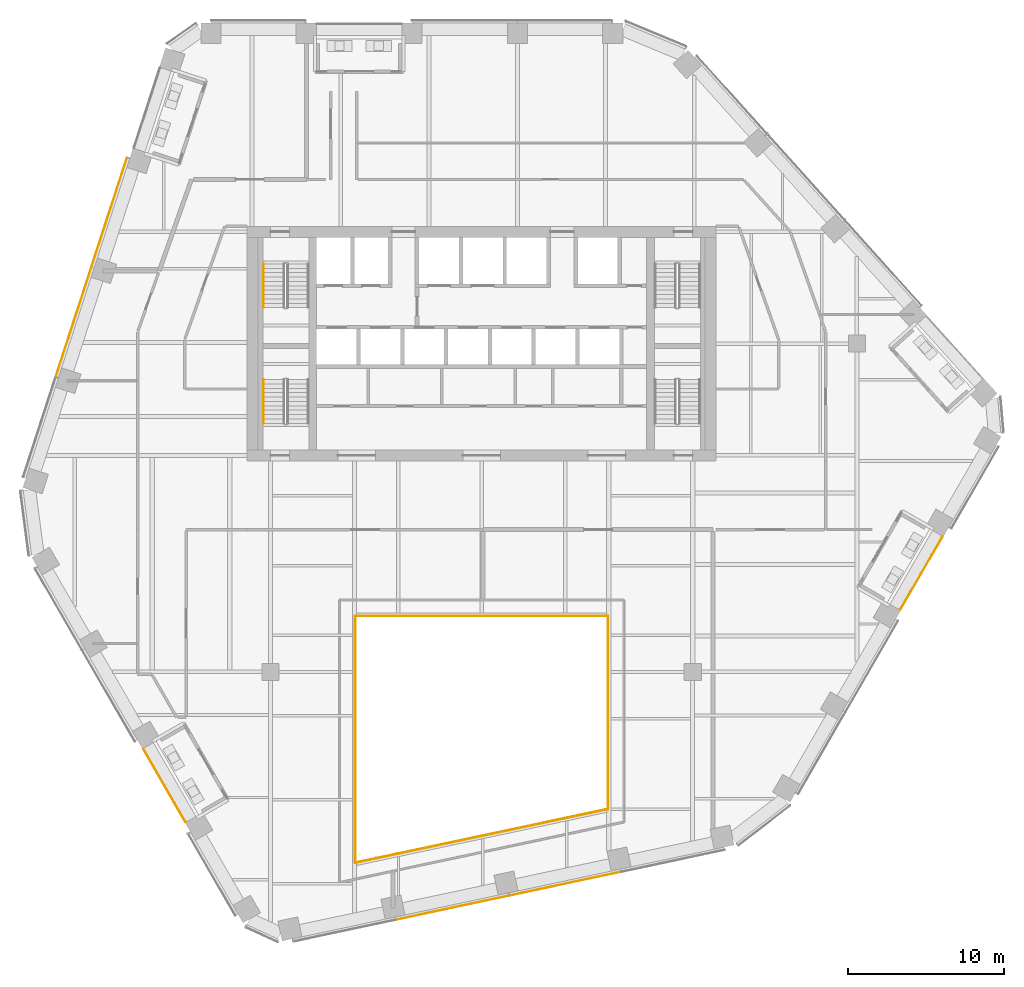
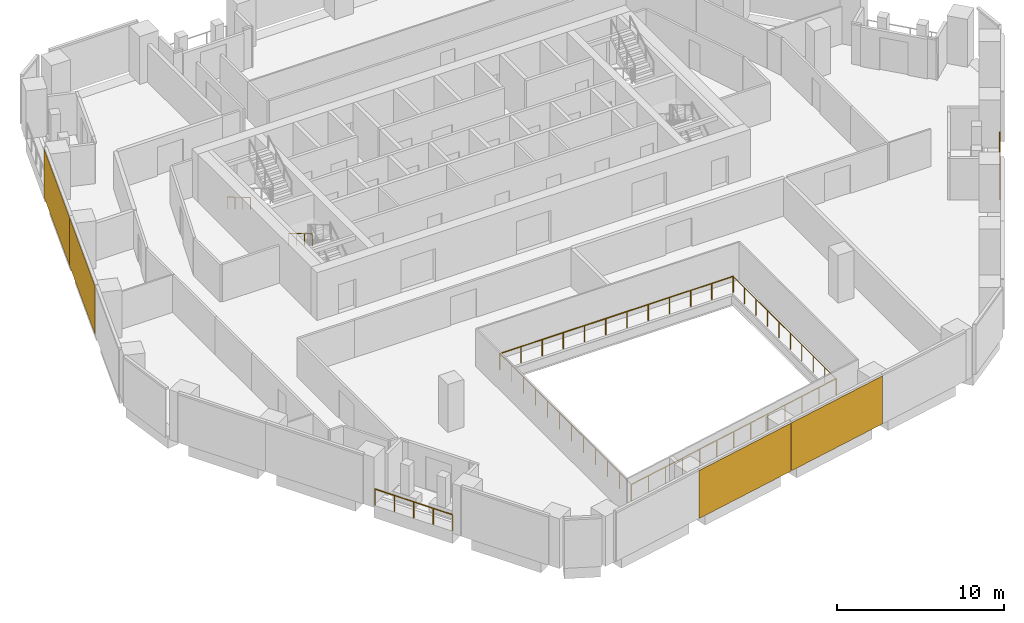
# One storey, part 23 of 26: 8 railings, 4 coverings, 2 elements without a shape of their own.
"""IFC4 building model written with IfcOpenShell, lengths in metres."""

from ifc_helpers import new_model, si_unit, direction, frame, origin, origin_2d, place, context, subcontext, project, spatial, rectangle, circle, extrude, material, layer, layer_set, type_object, element, aggregate, save


model = new_model("IFC4")

# Units and contexts
model_context = context("Model", 3, precision=1e-05, world=origin(), true_north=direction((0.0, 1.0)))
body_context = subcontext(model_context, "Body", "Model", "MODEL_VIEW")
ifc_project = project(units=[si_unit("LENGTHUNIT", "METRE"), si_unit("AREAUNIT", "SQUARE_METRE"), si_unit("VOLUMEUNIT", "CUBIC_METRE"), si_unit("PLANEANGLEUNIT", "RADIAN"), si_unit("MASSUNIT", "GRAM", prefix="KILO")], contexts=[model_context])

# Site, building, storey
site_placement = place(None, origin())
site = spatial("IfcSite", under=ifc_project, at=site_placement, CompositionType="ELEMENT")
building_placement = place(site_placement, origin())
building = spatial("IfcBuilding", under=site, at=building_placement, Name="Isthmus Gate Tower", CompositionType="ELEMENT")
storey_placement = place(building_placement, frame((0.0, 0.0, 189.050048828125)))
storey = spatial("IfcBuildingStorey", under=building, at=storey_placement, Name="L47", CompositionType="ELEMENT", Elevation=189.050048828125)

# Railings
ifc_material_1 = material(Name="Laminated toughened glass balustrade with steel rail", Category="steel")
railing_type_1 = type_object("IfcRailingType", Name="ATRIUM GUARD GLASS BALUSTRADE 1200", PredefinedType="GUARDRAIL", material=ifc_material_1)
railing_1_placement = place(storey_placement, frame((-8.080078125, -25.7099609375, 0.0)))
element("IfcRailing", 1, at=railing_1_placement, inside=storey, type_object=railing_type_1, Name="L47 atrium guard", PredefinedType="GUARDRAIL", context=body_context, shape_type="SweptSolid", body=[
    extrude(circle(Radius=0.02490234375, at=origin_2d()), frame((0.0, 0.0, 1.1748046875), z_axis=(0.0, 1.0, 0.0), x_axis=(-1.0, 0.0, 0.0)), (0.0, 0.0, 1.0), 15.7900390625),
    extrude(circle(Radius=0.02490234375, at=origin_2d()), origin(), (0.0, 0.0, 1.0), 1.14990234375),
    extrude(circle(Radius=0.02490234375, at=origin_2d()), frame((0.0, 1.435546875, 0.0)), (0.0, 0.0, 1.0), 1.14990234375),
    extrude(circle(Radius=0.02490234375, at=origin_2d()), frame((0.0, 2.870849609375, 0.0)), (0.0, 0.0, 1.0), 1.14990234375),
    extrude(circle(Radius=0.02490234375, at=origin_2d()), frame((0.0, 4.306396484375, 0.0)), (0.0, 0.0, 1.0), 1.14990234375),
    extrude(circle(Radius=0.02490234375, at=origin_2d()), frame((0.0, 5.741943359375, 0.0)), (0.0, 0.0, 1.0), 1.14990234375),
    extrude(circle(Radius=0.02490234375, at=origin_2d()), frame((0.0, 7.17724609375, 0.0)), (0.0, 0.0, 1.0), 1.14990234375),
    extrude(circle(Radius=0.02490234375, at=origin_2d()), frame((0.0, 8.61279296875, 0.0)), (0.0, 0.0, 1.0), 1.14990234375),
    extrude(circle(Radius=0.02490234375, at=origin_2d()), frame((0.0, 10.048095703125, 0.0)), (0.0, 0.0, 1.0), 1.14990234375),
    extrude(circle(Radius=0.02490234375, at=origin_2d()), frame((0.0, 11.483642578125, 0.0)), (0.0, 0.0, 1.0), 1.14990234375),
    extrude(circle(Radius=0.02490234375, at=origin_2d()), frame((0.0, 12.919189453125, 0.0)), (0.0, 0.0, 1.0), 1.14990234375),
    extrude(circle(Radius=0.02490234375, at=origin_2d()), frame((0.0, 14.3544921875, 0.0)), (0.0, 0.0, 1.0), 1.14990234375),
    extrude(circle(Radius=0.02490234375, at=origin_2d()), frame((0.0, 15.7900390625, 0.0)), (0.0, 0.0, 1.0), 1.14990234375),
])
railing_2_placement = place(storey_placement, frame((-8.080078125, -9.919921875, 0.0)))
element("IfcRailing", 2, at=railing_2_placement, inside=storey, type_object=railing_type_1, Name="L47 atrium guard", PredefinedType="GUARDRAIL", context=body_context, shape_type="SweptSolid", body=[
    extrude(circle(Radius=0.02490234375, at=origin_2d()), frame((0.0, 0.0, 1.1748046875), z_axis=(1.0, 0.0, 0.0), x_axis=(0.0, 1.0, 0.0)), (0.0, 0.0, 1.0), 16.16015625),
    extrude(circle(Radius=0.02490234375, at=origin_2d()), origin(), (0.0, 0.0, 1.0), 1.14990234375),
    extrude(circle(Radius=0.02490234375, at=origin_2d()), frame((1.468994140625, 0.0, 0.0)), (0.0, 0.0, 1.0), 1.14990234375),
    extrude(circle(Radius=0.02490234375, at=origin_2d()), frame((2.938232421875, 0.0, 0.0)), (0.0, 0.0, 1.0), 1.14990234375),
    extrude(circle(Radius=0.02490234375, at=origin_2d()), frame((4.4072265625, 0.0, 0.0)), (0.0, 0.0, 1.0), 1.14990234375),
    extrude(circle(Radius=0.02490234375, at=origin_2d()), frame((5.87646484375, 0.0, 0.0)), (0.0, 0.0, 1.0), 1.14990234375),
    extrude(circle(Radius=0.02490234375, at=origin_2d()), frame((7.345458984375, 0.0, 0.0)), (0.0, 0.0, 1.0), 1.14990234375),
    extrude(circle(Radius=0.02490234375, at=origin_2d()), frame((8.814697265625, 0.0, 0.0)), (0.0, 0.0, 1.0), 1.14990234375),
    extrude(circle(Radius=0.02490234375, at=origin_2d()), frame((10.28369140625, 0.0, 0.0)), (0.0, 0.0, 1.0), 1.14990234375),
    extrude(circle(Radius=0.02490234375, at=origin_2d()), frame((11.7529296875, 0.0, 0.0)), (0.0, 0.0, 1.0), 1.14990234375),
    extrude(circle(Radius=0.02490234375, at=origin_2d()), frame((13.221923828125, 0.0, 0.0)), (0.0, 0.0, 1.0), 1.14990234375),
    extrude(circle(Radius=0.02490234375, at=origin_2d()), frame((14.691162109375, 0.0, 0.0)), (0.0, 0.0, 1.0), 1.14990234375),
    extrude(circle(Radius=0.02490234375, at=origin_2d()), frame((16.16015625, 0.0, 0.0)), (0.0, 0.0, 1.0), 1.14990234375),
])
railing_3_placement = place(storey_placement, frame((8.080078125, -9.919921875, 0.0)))
element("IfcRailing", 3, at=railing_3_placement, inside=storey, type_object=railing_type_1, Name="L47 atrium guard", PredefinedType="GUARDRAIL", context=body_context, shape_type="SweptSolid", body=[
    extrude(circle(Radius=0.02490234375, at=origin_2d()), frame((0.0, 0.0, 1.1748046875), z_axis=(0.0, -1.0, 0.0), x_axis=(1.0, 0.0, 0.0)), (0.0, 0.0, 1.0), 12.35498046875),
    extrude(circle(Radius=0.02490234375, at=origin_2d()), origin(), (0.0, 0.0, 1.0), 1.14990234375),
    extrude(circle(Radius=0.02490234375, at=origin_2d()), frame((0.0, -1.372802734375, 0.0)), (0.0, 0.0, 1.0), 1.14990234375),
    extrude(circle(Radius=0.02490234375, at=origin_2d()), frame((0.0, -2.74560546875, 0.0)), (0.0, 0.0, 1.0), 1.14990234375),
    extrude(circle(Radius=0.02490234375, at=origin_2d()), frame((0.0, -4.118408203125, 0.0)), (0.0, 0.0, 1.0), 1.14990234375),
    extrude(circle(Radius=0.02490234375, at=origin_2d()), frame((0.0, -5.4912109375, 0.0)), (0.0, 0.0, 1.0), 1.14990234375),
    extrude(circle(Radius=0.02490234375, at=origin_2d()), frame((0.0, -6.86376953125, 0.0)), (0.0, 0.0, 1.0), 1.14990234375),
    extrude(circle(Radius=0.02490234375, at=origin_2d()), frame((0.0, -8.236572265625, 0.0)), (0.0, 0.0, 1.0), 1.14990234375),
    extrude(circle(Radius=0.02490234375, at=origin_2d()), frame((0.0, -9.609375, 0.0)), (0.0, 0.0, 1.0), 1.14990234375),
    extrude(circle(Radius=0.02490234375, at=origin_2d()), frame((0.0, -10.982177734375, 0.0)), (0.0, 0.0, 1.0), 1.14990234375),
    extrude(circle(Radius=0.02490234375, at=origin_2d()), frame((0.0, -12.35498046875, 0.0)), (0.0, 0.0, 1.0), 1.14990234375),
])
railing_4_placement = place(storey_placement, frame((8.080078125, -22.27490234375, 0.0)))
element("IfcRailing", 4, at=railing_4_placement, inside=storey, type_object=railing_type_1, Name="L47 atrium guard", PredefinedType="GUARDRAIL", context=body_context, shape_type="SweptSolid", body=[
    extrude(circle(Radius=0.02490234375, at=origin_2d()), frame((0.0, 0.0, 1.1748046875), z_axis=(-0.978146230105, -0.207918139013, 0.0), x_axis=(0.207918139013, -0.978146230105, 0.0)), (0.0, 0.0, 1.0), 16.521240234375),
    extrude(circle(Radius=0.02490234375, at=origin_2d()), origin(), (0.0, 0.0, 1.0), 1.14990234375),
    extrude(circle(Radius=0.02490234375, at=origin_2d()), frame((-1.3466796875, -0.2861328125, 0.0)), (0.0, 0.0, 1.0), 1.14990234375),
    extrude(circle(Radius=0.02490234375, at=origin_2d()), frame((-2.693359375, -0.572509765625, 0.0)), (0.0, 0.0, 1.0), 1.14990234375),
    extrude(circle(Radius=0.02490234375, at=origin_2d()), frame((-4.0400390625, -0.85888671875, 0.0)), (0.0, 0.0, 1.0), 1.14990234375),
    extrude(circle(Radius=0.02490234375, at=origin_2d()), frame((-5.38671875, -1.14501953125, 0.0)), (0.0, 0.0, 1.0), 1.14990234375),
    extrude(circle(Radius=0.02490234375, at=origin_2d()), frame((-6.7333984375, -1.43115234375, 0.0)), (0.0, 0.0, 1.0), 1.14990234375),
    extrude(circle(Radius=0.02490234375, at=origin_2d()), frame((-8.080078125, -1.717529296875, 0.0)), (0.0, 0.0, 1.0), 1.14990234375),
    extrude(circle(Radius=0.02490234375, at=origin_2d()), frame((-9.4267578125, -2.00390625, 0.0)), (0.0, 0.0, 1.0), 1.14990234375),
    extrude(circle(Radius=0.02490234375, at=origin_2d()), frame((-10.7734375, -2.2900390625, 0.0)), (0.0, 0.0, 1.0), 1.14990234375),
    extrude(circle(Radius=0.02490234375, at=origin_2d()), frame((-12.1201171875, -2.576171875, 0.0)), (0.0, 0.0, 1.0), 1.14990234375),
    extrude(circle(Radius=0.02490234375, at=origin_2d()), frame((-13.466796875, -2.862548828125, 0.0)), (0.0, 0.0, 1.0), 1.14990234375),
    extrude(circle(Radius=0.02490234375, at=origin_2d()), frame((-14.8134765625, -3.14892578125, 0.0)), (0.0, 0.0, 1.0), 1.14990234375),
    extrude(circle(Radius=0.02490234375, at=origin_2d()), frame((-16.16015625, -3.43505859375, 0.0)), (0.0, 0.0, 1.0), 1.14990234375),
])

# Curtain wall, coverings
ifc_material_2 = material(Name="Aluminium, pale champagne anodised", Category="aluminium")
ifc_layer_1 = layer(ifc_material_2, 0.199951171875)
ifc_layer_set_1 = layer_set([ifc_layer_1], Name="CW-1 UNITISED CURTAIN WALL 200 DEEP")
curtain_wall_type = type_object("IfcCurtainWallType", Name="CW-1 UNITISED CURTAIN WALL 200 DEEP", PredefinedType="NOTDEFINED", material=ifc_layer_set_1)
curtain_wall_1_placement = place(storey_placement, origin())
curtain_wall_1 = element("IfcCurtainWall", 5, at=curtain_wall_1_placement, inside=storey, type_object=curtain_wall_type, Name="CW-1 NW L47", PredefinedType="NOTDEFINED")
ifc_material_3 = material(Name="Aluminium composite panel, pale champagne anodised", Category="aluminium")
ifc_layer_2 = layer(ifc_material_3, 0.035888671875)
ifc_layer_set_2 = layer_set([ifc_layer_2], Name="CW-1 PALE METAL PANEL 36")
covering_type = type_object("IfcCoveringType", Name="CW-1 PALE METAL PANEL 36", PredefinedType="CLADDING", material=ifc_layer_set_2)
covering_1_placement = place(storey_placement, frame((-23.822998046875, 15.899169921875, 0.0), z_axis=(0.0, 0.0, 1.0), x_axis=(-0.309016994375, -0.951056516295, 0.0)))
covering_1 = element("IfcCovering", 6, at=covering_1_placement, type_object=covering_type, Name="CW-1 pale metal panel", PredefinedType="CLADDING", context=body_context, shape_type="SweptSolid", body=[
    extrude(rectangle(XDim=7.330810546875, YDim=0.035888671875, at=origin_2d()), origin(), (0.0, 0.0, 1.0), 3.510009765625),
])
covering_2_placement = place(storey_placement, frame((-26.09765625, 8.8984375, 0.0), z_axis=(0.0, 0.0, 1.0), x_axis=(-0.309016994375, -0.951056516295, 0.0)))
covering_2 = element("IfcCovering", 7, at=covering_2_placement, type_object=covering_type, Name="CW-1 pale metal panel", PredefinedType="CLADDING", context=body_context, shape_type="SweptSolid", body=[
    extrude(rectangle(XDim=7.390869140625, YDim=0.035888671875, at=origin_2d()), origin(), (0.0, 0.0, 1.0), 3.510009765625),
])
aggregate(curtain_wall_1, [covering_1, covering_2])

curtain_wall_2_placement = place(storey_placement, origin())
curtain_wall_2 = element("IfcCurtainWall", 8, at=curtain_wall_2_placement, inside=storey, type_object=curtain_wall_type, Name="CW-1 S L47", PredefinedType="NOTDEFINED")
covering_3_placement = place(storey_placement, frame((-1.88671875, -28.587158203125, 0.0), z_axis=(0.0, 0.0, 1.0), x_axis=(0.978147600734, 0.207911690818, 0.0)))
covering_3 = element("IfcCovering", 9, at=covering_3_placement, type_object=covering_type, Name="CW-1 pale metal panel", PredefinedType="CLADDING", context=body_context, shape_type="SweptSolid", body=[
    extrude(rectangle(XDim=7.390869140625, YDim=0.035888671875, at=origin_2d()), origin(), (0.0, 0.0, 1.0), 3.510009765625),
])
covering_4_placement = place(storey_placement, frame((5.371826171875, -27.044189453125, 0.0), z_axis=(0.0, 0.0, 1.0), x_axis=(0.978147600734, 0.207911690818, 0.0)))
covering_4 = element("IfcCovering", 10, at=covering_4_placement, type_object=covering_type, Name="CW-1 pale metal panel", PredefinedType="CLADDING", context=body_context, shape_type="SweptSolid", body=[
    extrude(rectangle(XDim=7.330810546875, YDim=0.035888671875, at=origin_2d()), origin(), (0.0, 0.0, 1.0), 3.510009765625),
])
aggregate(curtain_wall_2, [covering_3, covering_4])

# Railings
ifc_material_4 = material(Name="Toughened laminated glass with stainless steel posts", Category="steel")
railing_type_2 = type_object("IfcRailingType", Name="GUARD 1200 FRAMELESS GLASS", PredefinedType="GUARDRAIL", material=ifc_material_4)
railing_5_placement = place(storey_placement, frame((-21.629638671875, -18.4365234375, 0.0)))
element("IfcRailing", 11, at=railing_5_placement, inside=storey, type_object=railing_type_2, Name="LOGGIA GUARD", PredefinedType="GUARDRAIL", context=body_context, shape_type="SweptSolid", body=[
    extrude(circle(Radius=0.02490234375, at=origin_2d()), frame((0.0, 0.0, 1.1748046875), z_axis=(0.500001865875, -0.866024326518, 0.0), x_axis=(0.866024326518, 0.500001865875, 0.0)), (0.0, 0.0, 1.0), 5.3701171875),
    extrude(circle(Radius=0.02490234375, at=origin_2d()), origin(), (0.0, 0.0, 1.0), 1.14990234375),
    extrude(circle(Radius=0.02490234375, at=origin_2d()), frame((0.67138671875, -1.16259765625, 0.0)), (0.0, 0.0, 1.0), 1.14990234375),
    extrude(circle(Radius=0.02490234375, at=origin_2d()), frame((1.342529296875, -2.3251953125, 0.0)), (0.0, 0.0, 1.0), 1.14990234375),
    extrude(circle(Radius=0.02490234375, at=origin_2d()), frame((2.013671875, -3.488037109375, 0.0)), (0.0, 0.0, 1.0), 1.14990234375),
    extrude(circle(Radius=0.02490234375, at=origin_2d()), frame((2.68505859375, -4.650634765625, 0.0)), (0.0, 0.0, 1.0), 1.14990234375),
])
railing_6_placement = place(storey_placement, frame((26.78125, -9.513427734375, 0.0)))
element("IfcRailing", 12, at=railing_6_placement, inside=storey, type_object=railing_type_2, Name="LOGGIA GUARD", PredefinedType="GUARDRAIL", context=body_context, shape_type="SweptSolid", body=[
    extrude(circle(Radius=0.02490234375, at=origin_2d()), frame((0.0, 0.0, 1.1748046875), z_axis=(0.500001865875, 0.866024326518, 0.0), x_axis=(-0.866024326518, 0.500001865875, 0.0)), (0.0, 0.0, 1.0), 5.3701171875),
    extrude(circle(Radius=0.02490234375, at=origin_2d()), origin(), (0.0, 0.0, 1.0), 1.14990234375),
    extrude(circle(Radius=0.02490234375, at=origin_2d()), frame((0.67138671875, 1.16259765625, 0.0)), (0.0, 0.0, 1.0), 1.14990234375),
    extrude(circle(Radius=0.02490234375, at=origin_2d()), frame((1.342529296875, 2.3251953125, 0.0)), (0.0, 0.0, 1.0), 1.14990234375),
    extrude(circle(Radius=0.02490234375, at=origin_2d()), frame((2.013671875, 3.488037109375, 0.0)), (0.0, 0.0, 1.0), 1.14990234375),
    extrude(circle(Radius=0.02490234375, at=origin_2d()), frame((2.68505859375, 4.650634765625, 0.0)), (0.0, 0.0, 1.0), 1.14990234375),
])
ifc_material_5 = material(Name="Stainless steel handrail", Category="steel")
railing_type_3 = type_object("IfcRailingType", Name="STAIR HANDRAIL 900", PredefinedType="HANDRAIL", material=ifc_material_5)
railing_7_placement = place(storey_placement, frame((-13.949951171875, 12.60009765625, 0.165771484375)))
element("IfcRailing", 13, at=railing_7_placement, inside=storey, type_object=railing_type_3, Name="L47 ST1 stair handrail 1", PredefinedType="HANDRAIL", context=body_context, shape_type="SweptSolid", body=[
    extrude(circle(Radius=0.02392578125, at=origin_2d()), frame((0.0, 0.0, 0.8759765625), z_axis=(0.0, -0.860306154799, 0.50977771628), x_axis=(1.0, 0.0, 0.0)), (0.0, 0.0, 1.0), 3.254638671875),
    extrude(circle(Radius=0.02099609375, at=origin_2d()), origin(), (0.0, 0.0, 1.0), 0.851806640625),
    extrude(circle(Radius=0.02099609375, at=origin_2d()), frame((0.0, -0.933349609375, 0.552978515625)), (0.0, 0.0, 1.0), 0.851806640625),
    extrude(circle(Radius=0.02099609375, at=origin_2d()), frame((0.0, -1.86669921875, 1.106201171875)), (0.0, 0.0, 1.0), 0.851806640625),
    extrude(circle(Radius=0.02099609375, at=origin_2d()), frame((0.0, -2.800048828125, 1.6591796875)), (0.0, 0.0, 1.0), 0.851806640625),
])
railing_8_placement = place(storey_placement, frame((-13.949951171875, 5.199951171875, 1.990966796875)))
element("IfcRailing", 14, at=railing_8_placement, inside=storey, type_object=railing_type_3, Name="L47 ST7 stair handrail 2", PredefinedType="HANDRAIL", context=body_context, shape_type="SweptSolid", body=[
    extrude(circle(Radius=0.02392578125, at=origin_2d()), frame((0.0, 0.0, 0.8759765625), z_axis=(0.0, -0.860339051648, 0.50972219513), x_axis=(1.0, 0.0, 0.0)), (0.0, 0.0, 1.0), 3.254638671875),
    extrude(circle(Radius=0.02099609375, at=origin_2d()), origin(), (0.0, 0.0, 1.0), 0.851806640625),
    extrude(circle(Radius=0.02099609375, at=origin_2d()), frame((0.0, -0.933349609375, 0.552978515625)), (0.0, 0.0, 1.0), 0.851806640625),
    extrude(circle(Radius=0.02099609375, at=origin_2d()), frame((0.0, -1.86669921875, 1.10595703125)), (0.0, 0.0, 1.0), 0.851806640625),
    extrude(circle(Radius=0.02099609375, at=origin_2d()), frame((0.0, -2.800048828125, 1.658935546875)), (0.0, 0.0, 1.0), 0.851806640625),
])

save(model, "model.ifc")
